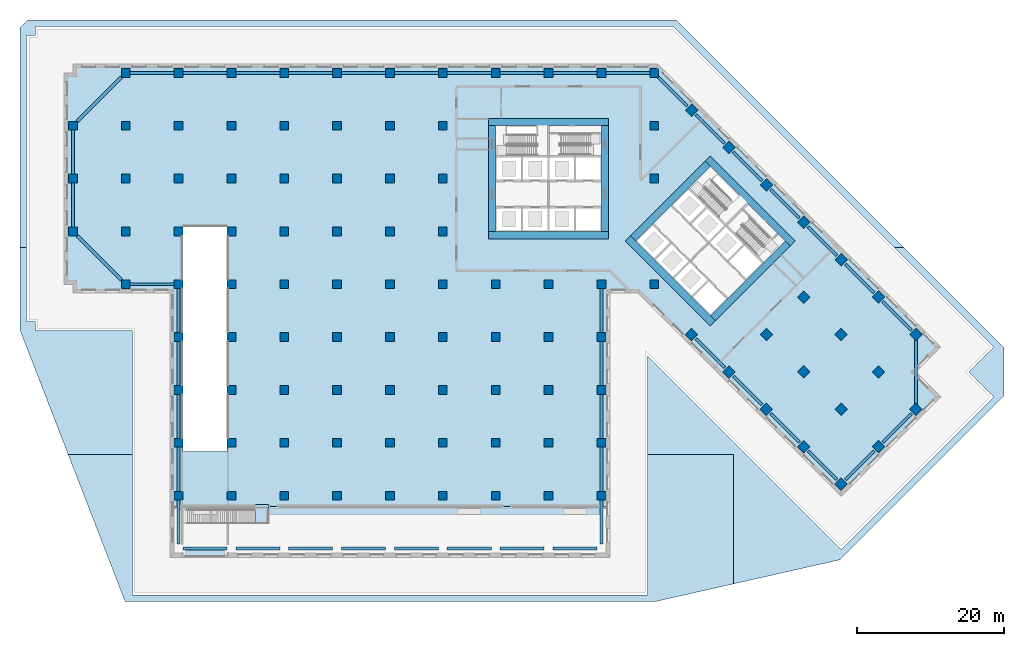
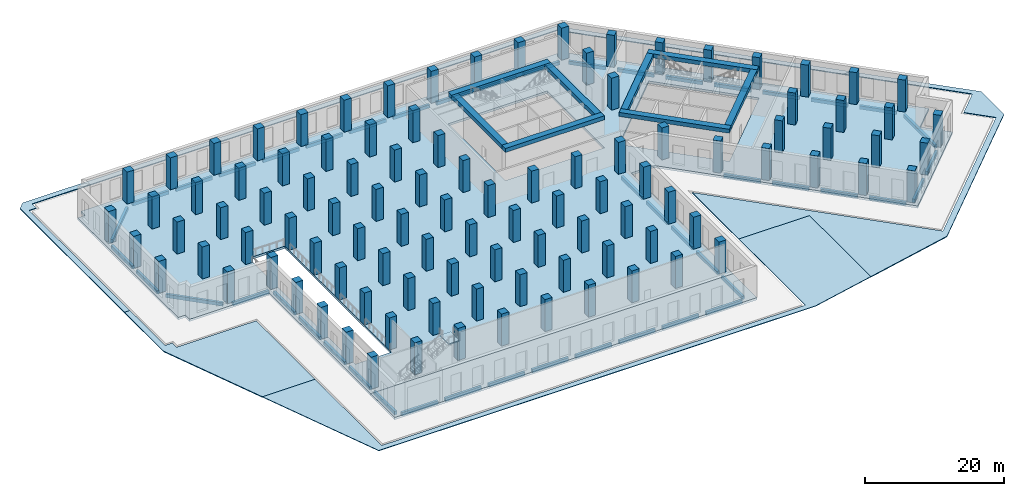
# One storey, part 1 of 15: 104 columns, 55 beams, 7 slabs, 3 openings, 1 element without a shape of its own.
"""IFC4 building model written with IfcOpenShell, lengths in metres."""

from ifc_helpers import new_model, si_unit, direction, frame, origin, origin_2d, place, context, subcontext, project, spatial, polyline, rectangle, outline, extrude, material, layer, layer_set, material_profile, profile_set, type_object, element, aggregate, save


model = new_model("IFC4")

# Units and contexts
model_context = context("Model", 3, precision=1e-05, world=origin(), true_north=direction((0.0, 1.0)))
body_context = subcontext(model_context, "Body", "Model", "MODEL_VIEW")
ifc_project = project(units=[si_unit("LENGTHUNIT", "METRE"), si_unit("AREAUNIT", "SQUARE_METRE"), si_unit("VOLUMEUNIT", "CUBIC_METRE"), si_unit("PLANEANGLEUNIT", "RADIAN"), si_unit("MASSUNIT", "GRAM", prefix="KILO")], contexts=[model_context])

# Site, building, storey
site_placement = place(None, origin())
site = spatial("IfcSite", under=ifc_project, at=site_placement, CompositionType="ELEMENT")
building_placement = place(site_placement, origin())
building = spatial("IfcBuilding", under=site, at=building_placement, Name="Windrow Commons", CompositionType="ELEMENT")
storey_placement = place(building_placement, origin())
storey = spatial("IfcBuildingStorey", under=building, at=storey_placement, Name="L00", CompositionType="ELEMENT", Elevation=0.0)

# Columns
ifc_material_1 = material(Name="Concrete C60/75", Category="concrete")
ifc_material_profile_1 = material_profile(ifc_material_1, rectangle(XDim=1.2, YDim=1.2, at=origin_2d()))
ifc_profile_set_1 = profile_set([ifc_material_profile_1], Name="Concrete C60/75")
column_type = type_object("IfcColumnType", Name="RC COLUMN 1200x1200 C60/75", PredefinedType="COLUMN", material=ifc_profile_set_1)
for number, where, z_axis, x_axis, name in (
    (1, (0.0, 50.4, 0.0), (0.0, 0.0, 1.0), (1.0, 0.0, 0.0), "C-P-01G"),
    (2, (0.0, 57.6, 0.0), (0.0, 0.0, 1.0), (1.0, 0.0, 0.0), "C-P-01H"),
    (3, (0.0, 64.8, 0.0), (0.0, 0.0, 1.0), (1.0, 0.0, 0.0), "C-P-01I"),
    (4, (7.2, 43.2, 0.0), (0.0, 0.0, 1.0), (1.0, 0.0, 0.0), "C-P-02F"),
    (5, (7.2, 50.4, 0.0), (0.0, 0.0, 1.0), (1.0, 0.0, 0.0), "C-P-02G"),
    (6, (7.2, 57.6, 0.0), (0.0, 0.0, 1.0), (1.0, 0.0, 0.0), "C-P-02H"),
    (7, (7.2, 64.8, 0.0), (0.0, 0.0, 1.0), (1.0, 0.0, 0.0), "C-P-02I"),
    (8, (7.2, 72.0, 0.0), (0.0, 0.0, 1.0), (1.0, 0.0, 0.0), "C-P-02J"),
    (9, (14.4, 14.4, 0.0), (0.0, 0.0, 1.0), (1.0, 0.0, 0.0), "C-P-03B"),
    (10, (14.4, 21.6, 0.0), (0.0, 0.0, 1.0), (1.0, 0.0, 0.0), "C-P-03C"),
    (11, (14.4, 28.8, 0.0), (0.0, 0.0, 1.0), (1.0, 0.0, 0.0), "C-P-03D"),
    (12, (14.4, 36.0, 0.0), (0.0, 0.0, 1.0), (1.0, 0.0, 0.0), "C-P-03E"),
    (13, (14.4, 43.2, 0.0), (0.0, 0.0, 1.0), (1.0, 0.0, 0.0), "C-P-03F"),
    (14, (14.4, 50.4, 0.0), (0.0, 0.0, 1.0), (1.0, 0.0, 0.0), "C-P-03G"),
    (15, (14.4, 57.6, 0.0), (0.0, 0.0, 1.0), (1.0, 0.0, 0.0), "C-P-03H"),
    (16, (14.4, 64.8, 0.0), (0.0, 0.0, 1.0), (1.0, 0.0, 0.0), "C-P-03I"),
    (17, (14.4, 72.0, 0.0), (0.0, 0.0, 1.0), (1.0, 0.0, 0.0), "C-P-03J"),
    (18, (21.6, 14.4, 0.0), (0.0, 0.0, 1.0), (1.0, 0.0, 0.0), "C-P-04B"),
    (19, (21.6, 21.6, 0.0), (0.0, 0.0, 1.0), (1.0, 0.0, 0.0), "C-P-04C"),
    (20, (21.6, 28.8, 0.0), (0.0, 0.0, 1.0), (1.0, 0.0, 0.0), "C-P-04D"),
    (21, (21.6, 36.0, 0.0), (0.0, 0.0, 1.0), (1.0, 0.0, 0.0), "C-P-04E"),
    (22, (21.6, 43.2, 0.0), (0.0, 0.0, 1.0), (1.0, 0.0, 0.0), "C-P-04F"),
    (23, (21.6, 50.4, 0.0), (0.0, 0.0, 1.0), (1.0, 0.0, 0.0), "C-P-04G"),
    (24, (21.6, 57.6, 0.0), (0.0, 0.0, 1.0), (1.0, 0.0, 0.0), "C-P-04H"),
    (25, (21.6, 64.8, 0.0), (0.0, 0.0, 1.0), (1.0, 0.0, 0.0), "C-P-04I"),
    (26, (21.6, 72.0, 0.0), (0.0, 0.0, 1.0), (1.0, 0.0, 0.0), "C-P-04J"),
    (27, (28.8, 14.4, 0.0), (0.0, 0.0, 1.0), (1.0, 0.0, 0.0), "C-P-05B"),
    (28, (28.8, 21.6, 0.0), (0.0, 0.0, 1.0), (1.0, 0.0, 0.0), "C-P-05C"),
    (29, (28.8, 28.8, 0.0), (0.0, 0.0, 1.0), (1.0, 0.0, 0.0), "C-P-05D"),
    (30, (28.8, 36.0, 0.0), (0.0, 0.0, 1.0), (1.0, 0.0, 0.0), "C-P-05E"),
    (31, (28.8, 43.2, 0.0), (0.0, 0.0, 1.0), (1.0, 0.0, 0.0), "C-P-05F"),
    (32, (28.8, 50.4, 0.0), (0.0, 0.0, 1.0), (1.0, 0.0, 0.0), "C-P-05G"),
    (33, (28.8, 57.6, 0.0), (0.0, 0.0, 1.0), (1.0, 0.0, 0.0), "C-P-05H"),
    (34, (28.8, 64.8, 0.0), (0.0, 0.0, 1.0), (1.0, 0.0, 0.0), "C-P-05I"),
    (35, (28.8, 72.0, 0.0), (0.0, 0.0, 1.0), (1.0, 0.0, 0.0), "C-P-05J"),
    (36, (36.0, 14.4, 0.0), (0.0, 0.0, 1.0), (1.0, 0.0, 0.0), "C-P-06B"),
    (37, (36.0, 21.6, 0.0), (0.0, 0.0, 1.0), (1.0, 0.0, 0.0), "C-P-06C"),
    (38, (36.0, 28.8, 0.0), (0.0, 0.0, 1.0), (1.0, 0.0, 0.0), "C-P-06D"),
    (39, (36.0, 36.0, 0.0), (0.0, 0.0, 1.0), (1.0, 0.0, 0.0), "C-P-06E"),
    (40, (36.0, 43.2, 0.0), (0.0, 0.0, 1.0), (1.0, 0.0, 0.0), "C-P-06F"),
    (41, (36.0, 50.4, 0.0), (0.0, 0.0, 1.0), (1.0, 0.0, 0.0), "C-P-06G"),
    (42, (36.0, 57.6, 0.0), (0.0, 0.0, 1.0), (1.0, 0.0, 0.0), "C-P-06H"),
    (43, (36.0, 64.8, 0.0), (0.0, 0.0, 1.0), (1.0, 0.0, 0.0), "C-P-06I"),
    (44, (36.0, 72.0, 0.0), (0.0, 0.0, 1.0), (1.0, 0.0, 0.0), "C-P-06J"),
    (45, (43.2, 14.4, 0.0), (0.0, 0.0, 1.0), (1.0, 0.0, 0.0), "C-P-07B"),
    (46, (43.2, 21.6, 0.0), (0.0, 0.0, 1.0), (1.0, 0.0, 0.0), "C-P-07C"),
    (47, (43.2, 28.8, 0.0), (0.0, 0.0, 1.0), (1.0, 0.0, 0.0), "C-P-07D"),
    (48, (43.2, 36.0, 0.0), (0.0, 0.0, 1.0), (1.0, 0.0, 0.0), "C-P-07E"),
    (49, (43.2, 43.2, 0.0), (0.0, 0.0, 1.0), (1.0, 0.0, 0.0), "C-P-07F"),
    (50, (43.2, 50.4, 0.0), (0.0, 0.0, 1.0), (1.0, 0.0, 0.0), "C-P-07G"),
    (51, (43.2, 57.6, 0.0), (0.0, 0.0, 1.0), (1.0, 0.0, 0.0), "C-P-07H"),
    (52, (43.2, 64.8, 0.0), (0.0, 0.0, 1.0), (1.0, 0.0, 0.0), "C-P-07I"),
    (53, (43.2, 72.0, 0.0), (0.0, 0.0, 1.0), (1.0, 0.0, 0.0), "C-P-07J"),
    (54, (50.4, 14.4, 0.0), (0.0, 0.0, 1.0), (1.0, 0.0, 0.0), "C-P-08B"),
    (55, (50.4, 21.6, 0.0), (0.0, 0.0, 1.0), (1.0, 0.0, 0.0), "C-P-08C"),
    (56, (50.4, 28.8, 0.0), (0.0, 0.0, 1.0), (1.0, 0.0, 0.0), "C-P-08D"),
    (57, (50.4, 36.0, 0.0), (0.0, 0.0, 1.0), (1.0, 0.0, 0.0), "C-P-08E"),
    (58, (50.4, 43.2, 0.0), (0.0, 0.0, 1.0), (1.0, 0.0, 0.0), "C-P-08F"),
    (59, (50.4, 50.4, 0.0), (0.0, 0.0, 1.0), (1.0, 0.0, 0.0), "C-P-08G"),
    (60, (50.4, 57.6, 0.0), (0.0, 0.0, 1.0), (1.0, 0.0, 0.0), "C-P-08H"),
    (61, (50.4, 64.8, 0.0), (0.0, 0.0, 1.0), (1.0, 0.0, 0.0), "C-P-08I"),
    (62, (50.4, 72.0, 0.0), (0.0, 0.0, 1.0), (1.0, 0.0, 0.0), "C-P-08J"),
    (63, (57.6, 14.4, 0.0), (0.0, 0.0, 1.0), (1.0, 0.0, 0.0), "C-P-09B"),
    (64, (57.6, 21.6, 0.0), (0.0, 0.0, 1.0), (1.0, 0.0, 0.0), "C-P-09C"),
    (65, (57.6, 28.8, 0.0), (0.0, 0.0, 1.0), (1.0, 0.0, 0.0), "C-P-09D"),
    (66, (57.6, 36.0, 0.0), (0.0, 0.0, 1.0), (1.0, 0.0, 0.0), "C-P-09E"),
    (67, (57.6, 43.2, 0.0), (0.0, 0.0, 1.0), (1.0, 0.0, 0.0), "C-P-09F"),
    (68, (57.6, 72.0, 0.0), (0.0, 0.0, 1.0), (1.0, 0.0, 0.0), "C-P-09J"),
    (69, (64.8, 14.4, 0.0), (0.0, 0.0, 1.0), (1.0, 0.0, 0.0), "C-P-10B"),
    (70, (64.8, 21.6, 0.0), (0.0, 0.0, 1.0), (1.0, 0.0, 0.0), "C-P-10C"),
    (71, (64.8, 28.8, 0.0), (0.0, 0.0, 1.0), (1.0, 0.0, 0.0), "C-P-10D"),
    (72, (64.8, 36.0, 0.0), (0.0, 0.0, 1.0), (1.0, 0.0, 0.0), "C-P-10E"),
    (73, (64.8, 43.2, 0.0), (0.0, 0.0, 1.0), (1.0, 0.0, 0.0), "C-P-10F"),
    (74, (64.8, 72.0, 0.0), (0.0, 0.0, 1.0), (1.0, 0.0, 0.0), "C-P-10J"),
    (75, (72.0, 14.4, 0.0), (0.0, 0.0, 1.0), (1.0, 0.0, 0.0), "C-P-11B"),
    (76, (72.0, 21.6, 0.0), (0.0, 0.0, 1.0), (1.0, 0.0, 0.0), "C-P-11C"),
    (77, (72.0, 28.8, 0.0), (0.0, 0.0, 1.0), (1.0, 0.0, 0.0), "C-P-11D"),
    (78, (72.0, 36.0, 0.0), (0.0, 0.0, 1.0), (1.0, 0.0, 0.0), "C-P-11E"),
    (79, (72.0, 43.2, 0.0), (0.0, 0.0, 1.0), (1.0, 0.0, 0.0), "C-P-11F"),
    (80, (72.0, 72.0, 0.0), (0.0, 0.0, 1.0), (1.0, 0.0, 0.0), "C-P-11J"),
    (81, (79.2, 43.2, 0.0), (0.0, 0.0, 1.0), (1.0, 0.0, 0.0), "C-P-12F"),
    (82, (79.2, 57.6, 0.0), (0.0, 0.0, 1.0), (1.0, 0.0, 0.0), "C-P-12H"),
    (83, (79.2, 64.8, 0.0), (0.0, 0.0, 1.0), (1.0, 0.0, 0.0), "C-P-12I"),
    (84, (79.2, 72.0, 0.0), (0.0, 0.0, 1.0), (1.0, 0.0, 0.0), "C-P-12J"),
    (85, (84.2912, 66.9088, 0.0), (0.0, 0.0, 1.0), (0.7071067812, -0.7071067812, 0.0), "C-P-P2Q"),
    (86, (89.3823, 61.8177, 0.0), (0.0, 0.0, 1.0), (0.7071067812, -0.7071067812, 0.0), "C-P-P3Q"),
    (87, (94.4735, 56.7265, 0.0), (0.0, 0.0, 1.0), (0.7071067812, -0.7071067812, 0.0), "C-P-P4Q"),
    (88, (99.5647, 51.6353, 0.0), (0.0, 0.0, 1.0), (0.7071067812, -0.7071067812, 0.0), "C-P-P5Q"),
    (89, (84.2912, 36.3618, 0.0), (0.0, 0.0, 1.0), (0.7071067812, -0.7071067812, 0.0), "C-P-P5T"),
    (90, (104.6558, 46.5442, 0.0), (0.0, 0.0, 1.0), (0.7071067812, -0.7071067812, 0.0), "C-P-P6Q"),
    (91, (99.5647, 41.453, 0.0), (0.0, 0.0, 1.0), (0.7071067812, -0.7071067812, 0.0), "C-P-P6R"),
    (92, (94.4735, 36.3618, 0.0), (0.0, 0.0, 1.0), (0.7071067812, -0.7071067812, 0.0), "C-P-P6S"),
    (93, (89.3823, 31.2706, 0.0), (0.0, 0.0, 1.0), (0.7071067812, -0.7071067812, 0.0), "C-P-P6T"),
    (94, (109.747, 41.453, 0.0), (0.0, 0.0, 1.0), (0.7071067812, -0.7071067812, 0.0), "C-P-P7Q"),
    (95, (104.6558, 36.3618, 0.0), (0.0, 0.0, 1.0), (0.7071067812, -0.7071067812, 0.0), "C-P-P7R"),
    (96, (99.5647, 31.2706, 0.0), (0.0, 0.0, 1.0), (0.7071067812, -0.7071067812, 0.0), "C-P-P7S"),
    (97, (94.4735, 26.1795, 0.0), (0.0, 0.0, 1.0), (0.7071067812, -0.7071067812, 0.0), "C-P-P7T"),
    (98, (114.8382, 36.3618, 0.0), (0.0, 0.0, 1.0), (0.7071067812, -0.7071067812, 0.0), "C-P-P8Q"),
    (99, (109.747, 31.2706, 0.0), (0.0, 0.0, 1.0), (0.7071067812, -0.7071067812, 0.0), "C-P-P8R"),
    (100, (104.6558, 26.1795, 0.0), (0.0, 0.0, 1.0), (0.7071067812, -0.7071067812, 0.0), "C-P-P8S"),
    (101, (99.5647, 21.0883, 0.0), (0.0, 0.0, 1.0), (0.7071067812, -0.7071067812, 0.0), "C-P-P8T"),
    (102, (114.8382, 26.1795, 0.0), (0.0, 0.0, 1.0), (0.7071067812, -0.7071067812, 0.0), "C-P-P9R"),
    (103, (109.747, 21.0883, 0.0), (0.0, 0.0, 1.0), (0.7071067812, -0.7071067812, 0.0), "C-P-P9S"),
    (104, (104.6558, 15.9971, 0.0), (0.0, 0.0, 1.0), (0.7071067812, -0.7071067812, 0.0), "C-P-P9T"),
):
    element("IfcColumn", number, at=place(storey_placement, frame(where, z_axis=z_axis, x_axis=x_axis)), inside=storey, type_object=column_type, Name=name, PredefinedType="COLUMN", context=body_context, shape_type="SweptSolid", body=[
        extrude(rectangle(XDim=1.2, YDim=1.2, at=origin_2d()), origin(), (0.0, 0.0, 1.0), 5.6),
    ])

# Beams
ifc_material_2 = material(Name="Concrete C60/75", Category="concrete")
ifc_material_profile_2 = material_profile(ifc_material_2, rectangle(XDim=1.0, YDim=0.7, at=origin_2d()))
ifc_profile_set_2 = profile_set([ifc_material_profile_2], Name="Concrete C60/75")
beam_type_1 = type_object("IfcBeamType", Name="RC COUPLING BEAM 1000x700 C60/75", PredefinedType="LINTEL", material=ifc_profile_set_2)
for number, where, z_axis, x_axis, name in (
    (105, (56.6, 49.9, 5.25), (1.0, 0.0, 0.0), (0.0, 1.0, 0.0), "Core A coupling beam outer-S"),
    (106, (56.6, 65.3, 5.25), (1.0, 0.0, 0.0), (0.0, 1.0, 0.0), "Core A coupling beam outer-N"),
):
    element("IfcBeam", number, at=place(storey_placement, frame(where, z_axis=z_axis, x_axis=x_axis)), inside=storey, type_object=beam_type_1, Name=name, PredefinedType="LINTEL", context=body_context, shape_type="SweptSolid", body=[
        extrude(rectangle(XDim=1.0, YDim=0.7, at=origin_2d()), origin(), (0.0, 0.0, 1.0), 16.4),
    ])
for number, where, z_axis, x_axis, name in (
    (107, (57.1, 50.4, 5.25), (0.0, 1.0, 0.0), (-1.0, 0.0, 0.0), "Core A coupling beam outer-W"),
    (108, (72.5, 50.4, 5.25), (0.0, 1.0, 0.0), (-1.0, 0.0, 0.0), "Core A coupling beam outer-E"),
):
    element("IfcBeam", number, at=place(storey_placement, frame(where, z_axis=z_axis, x_axis=x_axis)), inside=storey, type_object=beam_type_1, Name=name, PredefinedType="LINTEL", context=body_context, shape_type="SweptSolid", body=[
        extrude(rectangle(XDim=1.0, YDim=0.7, at=origin_2d()), origin(), (0.0, 0.0, 1.0), 14.4),
    ])
for number, where, z_axis, x_axis, name in (
    (109, (75.5938, 49.4433, 5.25), (0.7071037324, -0.70710983, 0.0), (0.70710983, 0.7071037324, 0.0), "Core B coupling beam outer-S"),
    (110, (86.4832, 60.3327, 5.25), (0.70710983, -0.7071037324, 0.0), (0.7071037324, 0.70710983, 0.0), "Core B coupling beam outer-N"),
):
    element("IfcBeam", number, at=place(storey_placement, frame(where, z_axis=z_axis, x_axis=x_axis)), inside=storey, type_object=beam_type_1, Name=name, PredefinedType="LINTEL", context=body_context, shape_type="SweptSolid", body=[
        extrude(rectangle(XDim=1.0, YDim=0.7, at=origin_2d()), origin(), (0.0, 0.0, 1.0), 16.4),
    ])
beam_1_placement = place(storey_placement, frame((76.3009, 49.4433, 5.25), z_axis=(0.7071067812, 0.7071067812, 0.0), x_axis=(-0.7071067812, 0.7071067812, 0.0)))
element("IfcBeam", 111, at=beam_1_placement, inside=storey, type_object=beam_type_1, Name="Core B coupling beam outer-W", PredefinedType="LINTEL", context=body_context, shape_type="SweptSolid", body=[
    extrude(rectangle(XDim=1.0, YDim=0.7, at=origin_2d()), origin(), (0.0, 0.0, 1.0), 14.3999),
])
beam_2_placement = place(storey_placement, frame((87.1903, 38.5538, 5.25), z_axis=(0.707103309, 0.7071102534, 0.0), x_axis=(-0.7071102534, 0.707103309, 0.0)))
element("IfcBeam", 112, at=beam_2_placement, inside=storey, type_object=beam_type_1, Name="Core B coupling beam outer-E", PredefinedType="LINTEL", context=body_context, shape_type="SweptSolid", body=[
    extrude(rectangle(XDim=1.0, YDim=0.7, at=origin_2d()), origin(), (0.0, 0.0, 1.0), 14.4),
])
ifc_material_3 = material(Name="Concrete C60/75", Category="concrete")
ifc_material_profile_3 = material_profile(ifc_material_3, rectangle(XDim=0.4, YDim=0.6, at=origin_2d()))
ifc_profile_set_3 = profile_set([ifc_material_profile_3], Name="Concrete C60/75")
beam_type_2 = type_object("IfcBeamType", Name="RC EDGE BEAM 400x600 C60/75", PredefinedType="SPANDREL", material=ifc_profile_set_3)
for number, where, z_axis, x_axis, name in (
    (113, (14.4, 29.4, -0.7), (0.0, 1.0, 0.0), (-1.0, 0.0, 0.0), "Edge beam L00 001"),
    (114, (14.4, 36.6, -0.7), (0.0, 1.0, 0.0), (-1.0, 0.0, 0.0), "Edge beam L00 002"),
    (115, (13.8, 43.2, -0.7), (-1.0, 0.0, 0.0), (0.0, -1.0, 0.0), "Edge beam L00 003"),
):
    element("IfcBeam", number, at=place(storey_placement, frame(where, z_axis=z_axis, x_axis=x_axis)), inside=storey, type_object=beam_type_2, Name=name, PredefinedType="SPANDREL", context=body_context, shape_type="SweptSolid", body=[
        extrude(rectangle(XDim=0.4, YDim=0.6, at=origin_2d()), origin(), (0.0, 0.0, 1.0), 6.0),
    ])
beam_3_placement = place(storey_placement, frame((6.6, 43.8, -0.7), z_axis=(-0.7071067812, 0.7071067812, 0.0), x_axis=(-0.7071067812, -0.7071067812, 0.0)))
element("IfcBeam", 116, at=beam_3_placement, inside=storey, type_object=beam_type_2, Name="Edge beam L00 004", PredefinedType="SPANDREL", context=body_context, shape_type="SweptSolid", body=[
    extrude(rectangle(XDim=0.4, YDim=0.6, at=origin_2d()), origin(), (0.0, 0.0, 1.0), 8.4853),
])
for number, where, z_axis, x_axis, name in (
    (117, (0.0, 51.0, -0.7), (0.0, 1.0, 0.0), (-1.0, 0.0, 0.0), "Edge beam L00 005"),
    (118, (0.0, 58.2, -0.7), (0.0, 1.0, 0.0), (-1.0, 0.0, 0.0), "Edge beam L00 006"),
):
    element("IfcBeam", number, at=place(storey_placement, frame(where, z_axis=z_axis, x_axis=x_axis)), inside=storey, type_object=beam_type_2, Name=name, PredefinedType="SPANDREL", context=body_context, shape_type="SweptSolid", body=[
        extrude(rectangle(XDim=0.4, YDim=0.6, at=origin_2d()), origin(), (0.0, 0.0, 1.0), 6.0),
    ])
beam_4_placement = place(storey_placement, frame((0.6, 65.4, -0.7), z_axis=(0.7071067812, 0.7071067812, 0.0), x_axis=(-0.7071067812, 0.7071067812, 0.0)))
element("IfcBeam", 119, at=beam_4_placement, inside=storey, type_object=beam_type_2, Name="Edge beam L00 007", PredefinedType="SPANDREL", context=body_context, shape_type="SweptSolid", body=[
    extrude(rectangle(XDim=0.4, YDim=0.6, at=origin_2d()), origin(), (0.0, 0.0, 1.0), 8.4853),
])
for number, where, z_axis, x_axis, name in (
    (120, (7.8, 72.0, -0.7), (1.0, 0.0, 0.0), (0.0, 1.0, 0.0), "Edge beam L00 008"),
    (121, (15.0, 72.0, -0.7), (1.0, 0.0, 0.0), (0.0, 1.0, 0.0), "Edge beam L00 009"),
    (122, (22.2, 72.0, -0.7), (1.0, 0.0, 0.0), (0.0, 1.0, 0.0), "Edge beam L00 010"),
    (123, (29.4, 72.0, -0.7), (1.0, 0.0, 0.0), (0.0, 1.0, 0.0), "Edge beam L00 011"),
    (124, (36.6, 72.0, -0.7), (1.0, 0.0, 0.0), (0.0, 1.0, 0.0), "Edge beam L00 012"),
    (125, (43.8, 72.0, -0.7), (1.0, 0.0, 0.0), (0.0, 1.0, 0.0), "Edge beam L00 013"),
    (126, (51.0, 72.0, -0.7), (1.0, 0.0, 0.0), (0.0, 1.0, 0.0), "Edge beam L00 014"),
    (127, (58.2, 72.0, -0.7), (1.0, 0.0, 0.0), (0.0, 1.0, 0.0), "Edge beam L00 015"),
    (128, (65.4, 72.0, -0.7), (1.0, 0.0, 0.0), (0.0, 1.0, 0.0), "Edge beam L00 016"),
    (129, (72.6, 72.0, -0.7), (1.0, 0.0, 0.0), (0.0, 1.0, 0.0), "Edge beam L00 017"),
):
    element("IfcBeam", number, at=place(storey_placement, frame(where, z_axis=z_axis, x_axis=x_axis)), inside=storey, type_object=beam_type_2, Name=name, PredefinedType="SPANDREL", context=body_context, shape_type="SweptSolid", body=[
        extrude(rectangle(XDim=0.4, YDim=0.6, at=origin_2d()), origin(), (0.0, 0.0, 1.0), 6.0),
    ])
beam_5_placement = place(storey_placement, frame((79.8, 71.4, -0.7), z_axis=(0.7071067812, -0.7071067812, 0.0), x_axis=(0.7071067812, 0.7071067812, 0.0)))
element("IfcBeam", 130, at=beam_5_placement, inside=storey, type_object=beam_type_2, Name="Edge beam L00 018", PredefinedType="SPANDREL", context=body_context, shape_type="SweptSolid", body=[
    extrude(rectangle(XDim=0.4, YDim=0.6, at=origin_2d()), origin(), (0.0, 0.0, 1.0), 5.503),
])
beam_6_placement = place(storey_placement, frame((84.8912, 66.3088, -0.7), z_axis=(0.7071067812, -0.7071067812, 0.0), x_axis=(0.7071067812, 0.7071067812, 0.0)))
element("IfcBeam", 131, at=beam_6_placement, inside=storey, type_object=beam_type_2, Name="Edge beam L00 019", PredefinedType="SPANDREL", context=body_context, shape_type="SweptSolid", body=[
    extrude(rectangle(XDim=0.4, YDim=0.6, at=origin_2d()), origin(), (0.0, 0.0, 1.0), 5.5028),
])
for number, where, z_axis, x_axis, name in (
    (132, (89.9823, 61.2177, -0.7), (0.7071067812, -0.7071067812, 0.0), (0.7071067812, 0.7071067812, 0.0), "Edge beam L00 020"),
    (133, (95.0735, 56.1265, -0.7), (0.7071067812, -0.7071067812, 0.0), (0.7071067812, 0.7071067812, 0.0), "Edge beam L00 021"),
):
    element("IfcBeam", number, at=place(storey_placement, frame(where, z_axis=z_axis, x_axis=x_axis)), inside=storey, type_object=beam_type_2, Name=name, PredefinedType="SPANDREL", context=body_context, shape_type="SweptSolid", body=[
        extrude(rectangle(XDim=0.4, YDim=0.6, at=origin_2d()), origin(), (0.0, 0.0, 1.0), 5.503),
    ])
beam_7_placement = place(storey_placement, frame((100.1647, 51.0353, -0.7), z_axis=(0.7071067812, -0.7071067812, 0.0), x_axis=(0.7071067812, 0.7071067812, 0.0)))
element("IfcBeam", 134, at=beam_7_placement, inside=storey, type_object=beam_type_2, Name="Edge beam L00 022", PredefinedType="SPANDREL", context=body_context, shape_type="SweptSolid", body=[
    extrude(rectangle(XDim=0.4, YDim=0.6, at=origin_2d()), origin(), (0.0, 0.0, 1.0), 5.5028),
])
for number, where, z_axis, x_axis, name in (
    (135, (105.2558, 45.9442, -0.7), (0.7071067812, -0.7071067812, 0.0), (0.7071067812, 0.7071067812, 0.0), "Edge beam L00 023"),
    (136, (110.347, 40.853, -0.7), (0.7071067812, -0.7071067812, 0.0), (0.7071067812, 0.7071067812, 0.0), "Edge beam L00 024"),
):
    element("IfcBeam", number, at=place(storey_placement, frame(where, z_axis=z_axis, x_axis=x_axis)), inside=storey, type_object=beam_type_2, Name=name, PredefinedType="SPANDREL", context=body_context, shape_type="SweptSolid", body=[
        extrude(rectangle(XDim=0.4, YDim=0.6, at=origin_2d()), origin(), (0.0, 0.0, 1.0), 5.503),
    ])
beam_8_placement = place(storey_placement, frame((114.8382, 35.7618, -0.7), z_axis=(0.0, -1.0, 0.0), x_axis=(1.0, 0.0, 0.0)))
element("IfcBeam", 137, at=beam_8_placement, inside=storey, type_object=beam_type_2, Name="Edge beam L00 025", PredefinedType="SPANDREL", context=body_context, shape_type="SweptSolid", body=[
    extrude(rectangle(XDim=0.4, YDim=0.6, at=origin_2d()), origin(), (0.0, 0.0, 1.0), 8.9823),
])
for number, where, z_axis, x_axis, name in (
    (138, (114.2382, 25.5795, -0.7), (-0.7071067812, -0.7071067812, 0.0), (0.7071067812, -0.7071067812, 0.0), "Edge beam L00 026"),
    (139, (109.147, 20.4883, -0.7), (-0.7071067812, -0.7071067812, 0.0), (0.7071067812, -0.7071067812, 0.0), "Edge beam L00 027"),
):
    element("IfcBeam", number, at=place(storey_placement, frame(where, z_axis=z_axis, x_axis=x_axis)), inside=storey, type_object=beam_type_2, Name=name, PredefinedType="SPANDREL", context=body_context, shape_type="SweptSolid", body=[
        extrude(rectangle(XDim=0.4, YDim=0.6, at=origin_2d()), origin(), (0.0, 0.0, 1.0), 5.503),
    ])
beam_9_placement = place(storey_placement, frame((104.0558, 16.5971, -0.7), z_axis=(-0.707097695, 0.7071158672, 0.0), x_axis=(-0.7071158672, -0.707097695, 0.0)))
element("IfcBeam", 140, at=beam_9_placement, inside=storey, type_object=beam_type_2, Name="Edge beam L00 028", PredefinedType="SPANDREL", context=body_context, shape_type="SweptSolid", body=[
    extrude(rectangle(XDim=0.4, YDim=0.6, at=origin_2d()), origin(), (0.0, 0.0, 1.0), 5.5029),
])
beam_10_placement = place(storey_placement, frame((98.9647, 21.6883, -0.7), z_axis=(-0.7071067812, 0.7071067812, 0.0), x_axis=(-0.7071067812, -0.7071067812, 0.0)))
element("IfcBeam", 141, at=beam_10_placement, inside=storey, type_object=beam_type_2, Name="Edge beam L00 029", PredefinedType="SPANDREL", context=body_context, shape_type="SweptSolid", body=[
    extrude(rectangle(XDim=0.4, YDim=0.6, at=origin_2d()), origin(), (0.0, 0.0, 1.0), 5.503),
])
for number, where, z_axis, x_axis, name in (
    (142, (93.8735, 26.7795, -0.7), (-0.7071158672, 0.707097695, 0.0), (-0.707097695, -0.7071158672, 0.0), "Edge beam L00 030"),
    (143, (88.7823, 31.8706, -0.7), (-0.707097695, 0.7071158672, 0.0), (-0.7071158672, -0.707097695, 0.0), "Edge beam L00 031"),
):
    element("IfcBeam", number, at=place(storey_placement, frame(where, z_axis=z_axis, x_axis=x_axis)), inside=storey, type_object=beam_type_2, Name=name, PredefinedType="SPANDREL", context=body_context, shape_type="SweptSolid", body=[
        extrude(rectangle(XDim=0.4, YDim=0.6, at=origin_2d()), origin(), (0.0, 0.0, 1.0), 5.5029),
    ])
for number, where, z_axis, x_axis, name in (
    (144, (72.0, 42.6, -0.7), (0.0, -1.0, 0.0), (1.0, 0.0, 0.0), "Edge beam L00 032"),
    (145, (72.0, 35.4, -0.7), (0.0, -1.0, 0.0), (1.0, 0.0, 0.0), "Edge beam L00 033"),
    (146, (72.0, 28.2, -0.7), (0.0, -1.0, 0.0), (1.0, 0.0, 0.0), "Edge beam L00 034"),
    (147, (72.0, 21.0, -0.7), (0.0, -1.0, 0.0), (1.0, 0.0, 0.0), "Edge beam L00 035"),
    (148, (72.0, 13.8, -0.7), (0.0, -1.0, 0.0), (1.0, 0.0, 0.0), "Edge beam L00 036"),
    (149, (71.4, 7.2, -0.7), (-1.0, 0.0, 0.0), (0.0, -1.0, 0.0), "Edge beam L00 037"),
    (150, (64.2, 7.2, -0.7), (-1.0, 0.0, 0.0), (0.0, -1.0, 0.0), "Edge beam L00 038"),
    (151, (57.0, 7.2, -0.7), (-1.0, 0.0, 0.0), (0.0, -1.0, 0.0), "Edge beam L00 039"),
    (152, (49.8, 7.2, -0.7), (-1.0, 0.0, 0.0), (0.0, -1.0, 0.0), "Edge beam L00 040"),
    (153, (42.6, 7.2, -0.7), (-1.0, 0.0, 0.0), (0.0, -1.0, 0.0), "Edge beam L00 041"),
    (154, (35.4, 7.2, -0.7), (-1.0, 0.0, 0.0), (0.0, -1.0, 0.0), "Edge beam L00 042"),
    (155, (28.2, 7.2, -0.7), (-1.0, 0.0, 0.0), (0.0, -1.0, 0.0), "Edge beam L00 043"),
    (156, (21.0, 7.2, -0.7), (-1.0, 0.0, 0.0), (0.0, -1.0, 0.0), "Edge beam L00 044"),
    (157, (14.4, 7.8, -0.7), (0.0, 1.0, 0.0), (-1.0, 0.0, 0.0), "Edge beam L00 045"),
    (158, (14.4, 15.0, -0.7), (0.0, 1.0, 0.0), (-1.0, 0.0, 0.0), "Edge beam L00 046"),
    (159, (14.4, 22.2, -0.7), (0.0, 1.0, 0.0), (-1.0, 0.0, 0.0), "Edge beam L00 047"),
):
    element("IfcBeam", number, at=place(storey_placement, frame(where, z_axis=z_axis, x_axis=x_axis)), inside=storey, type_object=beam_type_2, Name=name, PredefinedType="SPANDREL", context=body_context, shape_type="SweptSolid", body=[
        extrude(rectangle(XDim=0.4, YDim=0.6, at=origin_2d()), origin(), (0.0, 0.0, 1.0), 6.0),
    ])

# Slab, openings
ifc_material_4 = material(Name="Concrete C60/75", Category="concrete")
ifc_layer_1 = layer(ifc_material_4, 0.4)
ifc_layer_set_1 = layer_set([ifc_layer_1], Name="FLOOR SLAB 400 C60/75")
slab_type_1 = type_object("IfcSlabType", Name="FLOOR SLAB 400 C60/75", PredefinedType="FLOOR", material=ifc_layer_set_1)
placement_1 = place(storey_placement, frame((0.0, 0.0, -0.4)))
slab_1 = element("IfcSlab", 160, at=placement_1, inside=storey, type_object=slab_type_1, Name="S-L00-floor", PredefinedType="FLOOR", context=body_context, shape_type="SweptSolid", body=[
    extrude(outline(polyline([(73.2, 42.0), (76.9559, 42.0), (104.6558, 14.3001), (118.2323, 27.8765), (114.8382, 31.2706), (118.2323, 34.6648), (79.6971, 73.2), (0.0, 73.2), (0.0, 72.0), (-1.2, 72.0), (-1.2, 43.2), (0.0, 43.2), (0.0, 42.0), (13.2, 42.0), (13.2, 12.9), (73.2, 12.9), (73.2, 42.0)]), holes=[polyline([(15.0, 20.4), (15.0, 51.0), (21.0, 51.0), (21.0, 20.4), (15.0, 20.4)]), polyline([(98.4333, 49.0897), (86.8368, 37.4932), (75.2402, 49.0897), (86.8368, 60.6863), (98.4333, 49.0897)]), polyline([(73.0, 65.8), (73.0, 49.4), (56.6, 49.4), (56.6, 65.8), (73.0, 65.8)])]), origin(), (0.0, 0.0, 1.0), 0.4),
])
opening_1_placement = place(placement_1, origin())
element("IfcOpeningElement", 161, at=opening_1_placement, cuts=slab_1, Name="Slab opening S-L00-floor 1", PredefinedType="OPENING", context=body_context, shape_type="SweptSolid", body=[
    extrude(outline(polyline([(15.005, 20.405), (15.005, 50.995), (20.995, 50.995), (20.995, 20.405), (15.005, 20.405)])), origin(), (0.0, 0.0, 1.0), 0.4),
])
opening_2_placement = place(placement_1, origin())
element("IfcOpeningElement", 162, at=opening_2_placement, cuts=slab_1, Name="Slab opening S-L00-floor 2", PredefinedType="OPENING", context=body_context, shape_type="SweptSolid", body=[
    extrude(outline(polyline([(98.4262, 49.0897), (86.8368, 37.5003), (75.2473, 49.0897), (86.8368, 60.6792), (98.4262, 49.0897)])), origin(), (0.0, 0.0, 1.0), 0.4),
])
opening_3_placement = place(placement_1, origin())
element("IfcOpeningElement", 163, at=opening_3_placement, cuts=slab_1, Name="Slab opening S-L00-floor 3", PredefinedType="OPENING", context=body_context, shape_type="SweptSolid", body=[
    extrude(outline(polyline([(72.995, 65.795), (72.995, 49.405), (56.605, 49.405), (56.605, 65.795), (72.995, 65.795)])), origin(), (0.0, 0.0, 1.0), 0.4),
])

# Slabs
ifc_material_5 = material(Name="Clay pavers on compacted sub-base")
ifc_layer_2 = layer(ifc_material_5, 0.1)
ifc_layer_set_2 = layer_set([ifc_layer_2], Name="Garden paving 100")
slab_type_2 = type_object("IfcSlabType", Name="Garden paving 100", PredefinedType="USERDEFINED", material=ifc_layer_set_2)
slab_2_placement = place(storey_placement, frame((0.0, 0.0, -0.1)))
element("IfcSlab", 164, at=slab_2_placement, inside=storey, type_object=slab_type_2, Name="Paving South garden court", ObjectType="PAVING", PredefinedType="USERDEFINED", context=body_context, shape_type="SweptSolid", body=[
    extrude(outline(polyline([(79.466, 0.0), (7.106, 0.0), (-0.636, 20.0), (8.1, 20.0), (8.1, 0.9), (78.3, 0.9), (78.3, 20.0), (90.0, 20.0), (90.0, 2.383), (79.466, 0.0)])), origin(), (0.0, 0.0, 1.0), 0.1),
])
ifc_material_6 = material(Name="Granite paving on compacted sub-base", Category="masonry")
ifc_layer_3 = layer(ifc_material_6, 0.15)
ifc_layer_set_3 = layer_set([ifc_layer_3], Name="Plaza paving 150")
slab_type_3 = type_object("IfcSlabType", Name="Plaza paving 150", PredefinedType="USERDEFINED", material=ifc_layer_set_3)
placement_2 = place(storey_placement, frame((0.0, 0.0, -0.15)))
element("IfcSlab", 165, at=placement_2, inside=storey, type_object=slab_type_3, Name="Paving North service court", ObjectType="PAVING", PredefinedType="USERDEFINED", context=body_context, shape_type="SweptSolid", body=[
    extrude(outline(polyline([(-6.176, 79.2), (82.182, 79.2), (113.182, 48.2), (111.91, 48.2), (81.81, 78.3), (-5.1, 78.3), (-5.1, 77.1), (-6.3, 77.1), (-6.3, 48.2), (-7.2, 48.2), (-7.2, 78.176), (-6.176, 79.2)])), origin(), (0.0, 0.0, 1.0), 0.15),
])
element("IfcSlab", 166, at=placement_2, inside=storey, type_object=slab_type_3, Name="Paving West entrance plaza", ObjectType="PAVING", PredefinedType="USERDEFINED", context=body_context, shape_type="SweptSolid", body=[
    extrude(outline(polyline([(-5.1, 38.1), (-5.1, 36.9), (8.1, 36.9), (8.1, 20.0), (-0.636, 20.0), (-7.2, 36.956), (-7.2, 48.2), (-6.3, 48.2), (-6.3, 38.1), (-5.1, 38.1)])), origin(), (0.0, 0.0, 1.0), 0.15),
])
element("IfcSlab", 167, at=placement_2, inside=storey, type_object=slab_type_3, Name="Paving East entrance plaza", ObjectType="PAVING", PredefinedType="USERDEFINED", context=body_context, shape_type="SweptSolid", body=[
    extrude(outline(polyline([(104.505, 5.664), (90.0, 2.383), (90.0, 20.0), (78.3, 20.0), (78.3, 33.443), (104.656, 7.088), (125.445, 27.877), (122.051, 31.271), (125.445, 34.665), (111.91, 48.2), (113.182, 48.2), (126.842, 34.54), (126.842, 28.001), (104.505, 5.664)])), origin(), (0.0, 0.0, 1.0), 0.15),
])
ifc_material_7 = material(Name="Concrete C60/75", Category="concrete")
ifc_layer_4 = layer(ifc_material_7, 0.4)
ifc_layer_set_4 = layer_set([ifc_layer_4], Name="TERRACE SLAB 400 C60/75")
slab_type_4 = type_object("IfcSlabType", Name="TERRACE SLAB 400 C60/75", PredefinedType="FLOOR", material=ifc_layer_set_4)
element("IfcSlab", 168, at=placement_1, inside=storey, type_object=slab_type_4, Name="Terrace slab TR-L00-1", PredefinedType="FLOOR", context=body_context, shape_type="SweptSolid", body=[
    extrude(outline(polyline([(13.2, 6.0), (73.2, 6.0), (73.2, 12.9), (13.2, 12.9), (13.2, 6.0)])), origin(), (0.0, 0.0, 1.0), 0.4),
])

# Stair, slab
ifc_material_8 = material(Name="Concrete C40/50", Category="concrete")
stair_type = type_object("IfcStairType", Name="Terrace public stair", PredefinedType="STRAIGHT_RUN_STAIR", material=ifc_material_8)
stair_placement = place(storey_placement, origin())
stair = element("IfcStair", 169, at=stair_placement, inside=storey, type_object=stair_type, Name="Public stair L00 to L01", PredefinedType="STRAIGHT_RUN_STAIR")
ifc_material_9 = material(Name="Concrete C40/50", Category="concrete")
ifc_layer_5 = layer(ifc_material_9, 0.2)
ifc_layer_set_5 = layer_set([ifc_layer_5], Name="Terrace public stair landing")
slab_type_5 = type_object("IfcSlabType", Name="Terrace public stair landing", PredefinedType="LANDING", material=ifc_layer_set_5)
slab_7_placement = place(storey_placement, frame((0.0, 0.0, 5.8)))
slab_7 = element("IfcSlab", 170, at=slab_7_placement, type_object=slab_type_5, Name="TST landing 1", PredefinedType="LANDING", context=body_context, shape_type="SweptSolid", body=[
    extrude(outline(polyline([(24.84, 13.2), (26.64, 13.2), (26.64, 10.65), (24.84, 10.65), (24.84, 13.2)])), origin(), (0.0, 0.0, 1.0), 0.2),
])
aggregate(stair, [slab_7])

save(model, "model.ifc")
